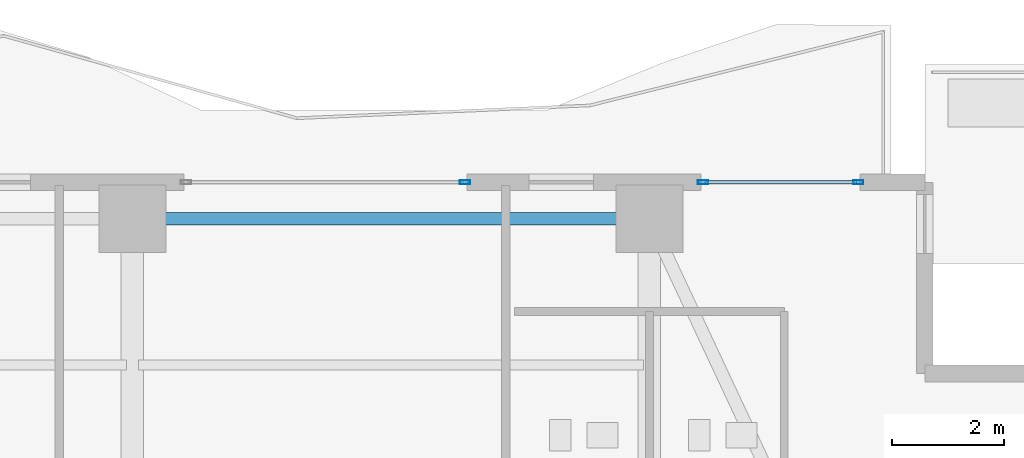
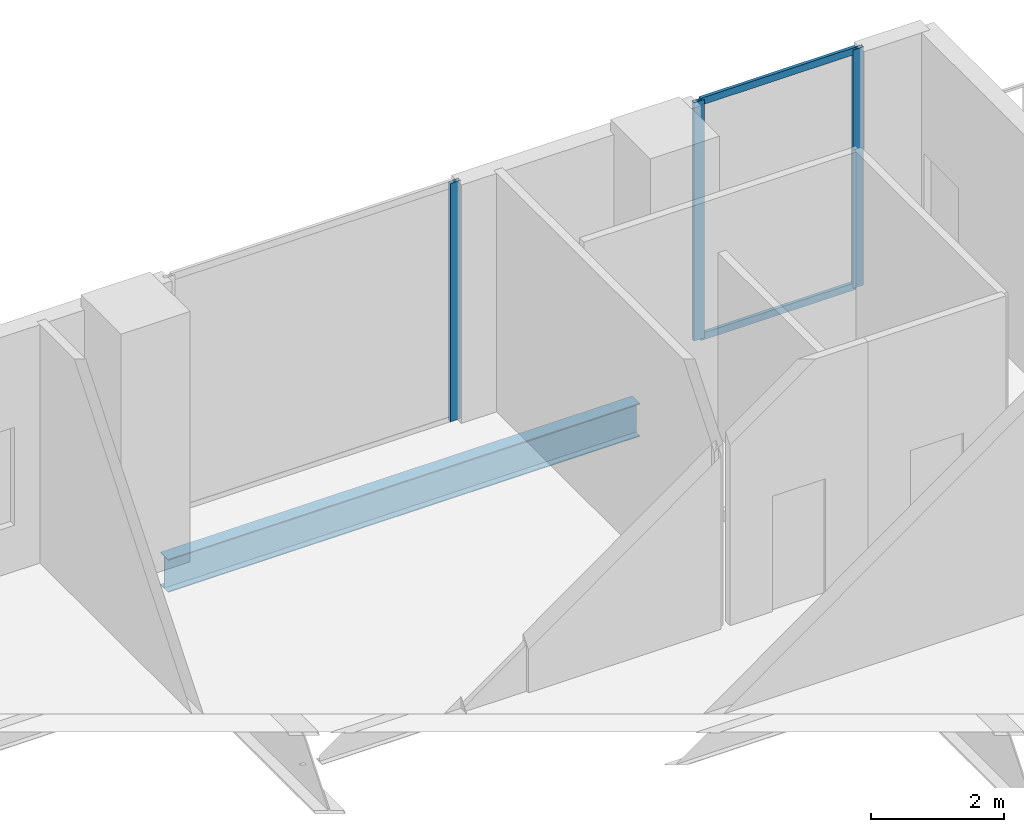
# One storey, part 22 of 31: 5 members, 1 beam, 2 elements without a shape of their own.
"""IFC4 building model written with IfcOpenShell, lengths in metres."""

import ifcopenshell
import ifcopenshell.guid

model = None  # the IFC model being written
_history = None  # IfcOwnerHistory: only IFC2X3 demands one
_inside = {}  # id of a spatial element -> (the spatial element, [elements in it])
_under = {}  # id of a project, library or spatial element -> (it, [spatial elements below it])
_declared = {}  # id of a project -> (the project, [libraries it declares])
_typed = {}  # id of a type object -> (the type object, [elements of that type])
_made_of = {}  # id of a material, layer set ... -> (it, [elements and type objects made of it])


def new_model(schema):
    """Start an empty IFC model of exactly this schema.

    Asked for "IFC4X3", IfcOpenShell would pick the latest addendum, in which some entities
    have other attributes; the version numbers below select the first issue.
    IFC2X3 requires an IfcOwnerHistory on every rooted entity: one is made here for all.
    """
    global model, _history
    if schema == "IFC4X3":
        model = ifcopenshell.file(schema_version=(4, 3, 0, 0))
    else:
        model = ifcopenshell.file(schema=schema)
    _inside.clear()
    _under.clear()
    _declared.clear()
    _typed.clear()
    _made_of.clear()
    _history = None
    if model.schema == "IFC2X3":
        org = make("IfcOrganization", Name="unknown")
        user = make(
            "IfcPersonAndOrganization",
            ThePerson=make("IfcPerson", FamilyName="unknown"),
            TheOrganization=org,
        )
        app = make(
            "IfcApplication",
            ApplicationDeveloper=org,
            Version="unknown",
            ApplicationFullName="unknown",
            ApplicationIdentifier="unknown",
        )
        _history = make(
            "IfcOwnerHistory",
            OwningUser=user,
            OwningApplication=app,
            ChangeAction="ADDED",
            CreationDate=0,
        )
    return model


def make(cls, **values):
    """One entity of the class cls with the attributes given. An attribute that is None is left unset."""
    return model.create_entity(
        cls, **{name: value for name, value in values.items() if value is not None}
    )


def rooted(cls, **values):
    """An entity with a GlobalId (a new one), such as an element, a storey or a relation."""
    return make(cls, GlobalId=ifcopenshell.guid.new(), OwnerHistory=_history, **values)


def si_unit(unit_type, name, prefix=None):
    """IfcSIUnit, for example si_unit("LENGTHUNIT", "METRE", prefix="MILLI")."""
    return make("IfcSIUnit", UnitType=unit_type, Prefix=prefix, Name=name)


def assignment(units):
    """IfcUnitAssignment: the units of a project."""
    return None if units is None else make("IfcUnitAssignment", Units=units)


def point(xyz):
    """IfcCartesianPoint."""
    return None if xyz is None else make("IfcCartesianPoint", Coordinates=xyz)


def direction(xyz):
    """IfcDirection."""
    return None if xyz is None else make("IfcDirection", DirectionRatios=xyz)


def frame(location, z_axis=None, x_axis=None):
    """IfcAxis2Placement3D, a coordinate frame: its origin and axes. An axis left out is left unset."""
    return make(
        "IfcAxis2Placement3D",
        Location=point(location),
        Axis=direction(z_axis),
        RefDirection=direction(x_axis),
    )


def frame_2d(location, x_axis=None):
    """IfcAxis2Placement2D, a coordinate frame in the plane: its origin and x axis."""
    return make(
        "IfcAxis2Placement2D", Location=point(location), RefDirection=direction(x_axis)
    )


def origin():
    """The frame at (0, 0, 0) with its axes left unset."""
    return frame((0.0, 0.0, 0.0))


def origin_2d():
    """The frame at (0, 0) in the plane with its x axis left unset."""
    return frame_2d((0.0, 0.0))


def place(relative_to, where):
    """IfcLocalPlacement: puts the frame where relative to a parent placement (None: the world)."""
    return make(
        "IfcLocalPlacement", PlacementRelTo=relative_to, RelativePlacement=where
    )


def context(
    kind, dimensions, precision=None, world=None, true_north=None, identifier=None
):
    """IfcGeometricRepresentationContext, for example the 3D "Model" context."""
    return make(
        "IfcGeometricRepresentationContext",
        ContextIdentifier=identifier,
        ContextType=kind,
        CoordinateSpaceDimension=dimensions,
        Precision=precision,
        WorldCoordinateSystem=world,
        TrueNorth=true_north,
    )


def subcontext(parent, identifier, kind, view, scale=None):
    """IfcGeometricRepresentationSubContext, for example "Body" below "Model"."""
    return make(
        "IfcGeometricRepresentationSubContext",
        ContextIdentifier=identifier,
        ContextType=kind,
        ParentContext=parent,
        TargetScale=scale,
        TargetView=view,
    )


def project(units=None, contexts=None):
    """IfcProject with its units and contexts."""
    return rooted(
        "IfcProject",
        Name="project",
        RepresentationContexts=contexts,
        UnitsInContext=assignment(units),
    )


def spatial(cls, under=None, at=None, **own):
    """A site, building, storey or space (cls), placed at a placement, below another one or the project."""
    s = rooted(cls, ObjectPlacement=at, **own)
    if under is not None:
        _under.setdefault(under.id(), (under, []))[1].append(s)
    return s


def profile(cls, at=None, kind="AREA", **sizes):
    """A parametric profile (cls). Its sizes go by their IFC names, for example OverallWidth=200.0."""
    return make(cls, ProfileType=kind, Position=at, **sizes)


def hollow_rectangle(**sizes):
    """IfcRectangleHollowProfileDef."""
    return profile("IfcRectangleHollowProfileDef", **sizes)


def i_section(**sizes):
    """IfcIShapeProfileDef."""
    return profile("IfcIShapeProfileDef", **sizes)


def extrude(swept, where, along, depth):
    """IfcExtrudedAreaSolid: the profile swept, set in the frame where, extruded along a direction by depth."""
    return make(
        "IfcExtrudedAreaSolid",
        SweptArea=swept,
        Position=where,
        ExtrudedDirection=direction(along),
        Depth=depth,
    )


def shape(context_of_items, identifier, shape_type, items):
    """IfcShapeRepresentation: the items that make up one representation, for example the "Body"."""
    return make(
        "IfcShapeRepresentation",
        ContextOfItems=context_of_items,
        RepresentationIdentifier=identifier,
        RepresentationType=shape_type,
        Items=items,
    )


def material(Name=None, Category=None):
    """IfcMaterial."""
    return make("IfcMaterial", Name=Name, Category=Category)


def layer(
    of_material, thickness, ventilated=None, Name=None, Category=None, Priority=None
):
    """IfcMaterialLayer: one layer of a wall or slab, of a material (None: an air gap)."""
    return make(
        "IfcMaterialLayer",
        Material=of_material,
        LayerThickness=thickness,
        IsVentilated=ventilated,
        Name=Name,
        Category=Category,
        Priority=Priority,
    )


def layer_set(layers, Name=None):
    """IfcMaterialLayerSet."""
    return make("IfcMaterialLayerSet", MaterialLayers=layers, LayerSetName=Name)


def material_profile(
    of_material, cross_section, Name=None, Category=None, Priority=None
):
    """IfcMaterialProfile: a cross section and its material."""
    return make(
        "IfcMaterialProfile",
        Name=Name,
        Material=of_material,
        Profile=cross_section,
        Priority=Priority,
        Category=Category,
    )


def profile_set(profiles, Name=None, composite=None):
    """IfcMaterialProfileSet."""
    return make(
        "IfcMaterialProfileSet",
        Name=Name,
        MaterialProfiles=profiles,
        CompositeProfile=composite,
    )


def made_of(thing, what):
    """Note that an element or type object is made of a material, layer set ...; save() writes the relation."""
    if what is not None:
        _made_of.setdefault(what.id(), (what, []))[1].append(thing)
    return thing


def type_object(cls, material=None, **own):
    """A type object (cls), such as IfcWallType, which elements share."""
    return made_of(rooted(cls, **own), material)


def element(
    cls,
    number,
    at=None,
    inside=None,
    cuts=None,
    type_object=None,
    material=None,
    context=None,
    identifier="Body",
    shape_type=None,
    held_by="IfcProductDefinitionShape",
    body=None,
    shapes=None,
    **own,
):
    """One element of the class cls, such as IfcWall. Its Tag is "e" and its number.

    at: its placement. inside: the storey or other place that contains it. cuts: it is an
    opening in that element (IfcRelVoidsElement). A single representation is given by context,
    identifier, shape_type and body (its items); several are given by shapes. held_by: the class
    of the entity that holds the representations. save() writes the other relations.
    """
    e = rooted(cls, Tag="e%d" % number, ObjectPlacement=at, **own)
    if body is not None:
        shapes = [shape(context, identifier, shape_type, body)]
    if shapes is not None:
        e.Representation = make(held_by, Representations=shapes)
    if inside is not None:
        _inside.setdefault(inside.id(), (inside, []))[1].append(e)
    if cuts is not None:
        rooted(
            "IfcRelVoidsElement", RelatingBuildingElement=cuts, RelatedOpeningElement=e
        )
    if type_object is not None:
        _typed.setdefault(type_object.id(), (type_object, []))[1].append(e)
    return made_of(e, material)


def aggregate(whole, parts):
    """IfcRelAggregates: a whole, such as a stair, and the parts it consists of."""
    return rooted("IfcRelAggregates", RelatingObject=whole, RelatedObjects=parts)


def save(model, path):
    """Write the relations noted so far, then the file.

    IfcRelAggregates (storeys below a building ...), IfcRelContainedInSpatialStructure (elements
    in a storey), IfcRelDefinesByType, IfcRelAssociatesMaterial and IfcRelDeclares: one each for
    every whole, place, type object, material and project.
    """
    for whole, parts in _under.values():
        aggregate(whole, parts)
    for where, things in _inside.values():
        rooted(
            "IfcRelContainedInSpatialStructure",
            RelatedElements=things,
            RelatingStructure=where,
        )
    for kind, things in _typed.values():
        rooted("IfcRelDefinesByType", RelatedObjects=things, RelatingType=kind)
    for what, things in _made_of.values():
        rooted("IfcRelAssociatesMaterial", RelatedObjects=things, RelatingMaterial=what)
    for by, libraries in _declared.values():
        rooted("IfcRelDeclares", RelatingContext=by, RelatedDefinitions=libraries)
    model.write(path)


model = new_model("IFC4")

# Units and contexts
model_context = context("Model", 3, precision=1e-05, world=origin(), true_north=direction((0.0, 1.0)))
body_context = subcontext(model_context, "Body", "Model", "MODEL_VIEW")
ifc_project = project(units=[si_unit("LENGTHUNIT", "METRE"), si_unit("AREAUNIT", "SQUARE_METRE"), si_unit("VOLUMEUNIT", "CUBIC_METRE"), si_unit("PLANEANGLEUNIT", "RADIAN"), si_unit("MASSUNIT", "GRAM", prefix="KILO")], contexts=[model_context])

# Site, building, storey
site_placement = place(None, origin())
site = spatial("IfcSite", under=ifc_project, at=site_placement, CompositionType="ELEMENT")
building_placement = place(site_placement, origin())
building = spatial("IfcBuilding", under=site, at=building_placement, Name="Zuhayl Quay Hotel", CompositionType="ELEMENT")
storey_placement = place(building_placement, frame((0.0, 0.0, 172.800048828125)))
storey = spatial("IfcBuildingStorey", under=building, at=storey_placement, Name="L43", CompositionType="ELEMENT", Elevation=172.800048828125)

# Beam
ifc_material_1 = material(Name="Steel ASTM A992 Grade 50", Category="steel")
ifc_material_profile_1 = material_profile(ifc_material_1, i_section(OverallWidth=0.22802734375, OverallDepth=0.60693359375, WebThickness=0.01123046875, FlangeThickness=0.017333984375, at=origin_2d()), Name="W24X76")
ifc_profile_set_1 = profile_set([ifc_material_profile_1], Name="Steel ASTM A992 Grade 50")
beam_type = type_object("IfcBeamType", Name="BM_B3_W24X76", PredefinedType="BEAM", material=ifc_profile_set_1)
beam_placement = place(storey_placement, frame((13.300048828125, 32.949951171875, -0.5234375), z_axis=(-1.0, 0.0, 0.0), x_axis=(0.0, -1.0, 0.0)))
element("IfcBeam", 1, at=beam_placement, inside=storey, type_object=beam_type, Name="L43 Floor Beam RG_L43_07", PredefinedType="BEAM", context=body_context, shape_type="SweptSolid", body=[
    extrude(i_section(OverallWidth=0.22802734375, OverallDepth=0.60693359375, WebThickness=0.01123046875, FlangeThickness=0.017333984375, at=origin_2d()), origin(), (0.0, 0.0, 1.0), 8.199951171875),
])

# Curtain wall, member
ifc_material_2 = material(Name="Anodised Aluminium 6063-T6", Category="aluminium")
ifc_layer = layer(ifc_material_2, 0.175048828125, Name="Anodised Aluminium 6063-T6", Category="aluminium")
ifc_layer_set = layer_set([ifc_layer], Name="Anodised Aluminium 6063-T6")
curtain_wall_type = type_object("IfcCurtainWallType", Name="CW_SYS_Z3", PredefinedType="USERDEFINED", material=ifc_layer_set)
curtain_wall_1_placement = place(storey_placement, origin())
curtain_wall_1 = element("IfcCurtainWall", 2, at=curtain_wall_1_placement, inside=storey, type_object=curtain_wall_type, Name="L43 Curtain Wall ENV_L43_N_CW3", ObjectType="UNITISED CURTAIN WALL", PredefinedType="USERDEFINED")
ifc_material_3 = material(Name="Black-anodised aluminium 6063-T6", Category="aluminium")
ifc_material_profile_2 = material_profile(ifc_material_3, hollow_rectangle(XDim=0.06494140625, YDim=0.179931640625, WallThickness=0.00341796875, at=origin_2d()), Name="ALU180X65")
ifc_profile_set_2 = profile_set([ifc_material_profile_2], Name="Black-anodised aluminium 6063-T6")
member_type_1 = type_object("IfcMemberType", Name="MB_CW_MUL_180", PredefinedType="MULLION", material=ifc_profile_set_2)
member_1_placement = place(storey_placement, frame((10.517578125, 33.60009765625, 0.0), z_axis=(0.0, 0.0, 1.0), x_axis=(0.0, 1.0, 0.0)))
member_1 = element("IfcMember", 3, at=member_1_placement, type_object=member_type_1, Name="CW-Z3 mullion 2", PredefinedType="MULLION", context=body_context, shape_type="SweptSolid", body=[
    extrude(hollow_rectangle(XDim=0.06494140625, YDim=0.179931640625, WallThickness=0.00341796875, at=origin_2d()), origin(), (0.0, 0.0, 1.0), 4.3798828125),
])
aggregate(curtain_wall_1, [member_1])

# Curtain wall, members
curtain_wall_2_placement = place(storey_placement, origin())
curtain_wall_2 = element("IfcCurtainWall", 4, at=curtain_wall_2_placement, inside=storey, type_object=curtain_wall_type, Name="L43 Curtain Wall ENV_L43_N_CW4", ObjectType="UNITISED CURTAIN WALL", PredefinedType="USERDEFINED")
member_2_placement = place(storey_placement, frame((14.75244140625, 33.60009765625, 0.0), z_axis=(0.0, 0.0, 1.0), x_axis=(0.0, 1.0, 0.0)))
member_2 = element("IfcMember", 5, at=member_2_placement, type_object=member_type_1, Name="CW-Z3 mullion 1", PredefinedType="MULLION", context=body_context, shape_type="SweptSolid", body=[
    extrude(hollow_rectangle(XDim=0.06494140625, YDim=0.179931640625, WallThickness=0.00341796875, at=origin_2d()), origin(), (0.0, 0.0, 1.0), 4.3798828125),
])
member_3_placement = place(storey_placement, frame((17.517578125, 33.60009765625, 0.0), z_axis=(0.0, 0.0, 1.0), x_axis=(0.0, 1.0, 0.0)))
member_3 = element("IfcMember", 6, at=member_3_placement, type_object=member_type_1, Name="CW-Z3 mullion 2", PredefinedType="MULLION", context=body_context, shape_type="SweptSolid", body=[
    extrude(hollow_rectangle(XDim=0.06494140625, YDim=0.179931640625, WallThickness=0.00341796875, at=origin_2d()), origin(), (0.0, 0.0, 1.0), 4.3798828125),
])
ifc_material_profile_3 = material_profile(ifc_material_3, hollow_rectangle(XDim=0.054931640625, YDim=0.1298828125, WallThickness=0.0029296875, at=origin_2d()), Name="ALU130X55")
ifc_profile_set_3 = profile_set([ifc_material_profile_3], Name="Black-anodised aluminium 6063-T6")
member_type_2 = type_object("IfcMemberType", Name="MB_CW_TRN_130", PredefinedType="USERDEFINED", material=ifc_profile_set_3)
member_4_placement = place(storey_placement, frame((14.784912109375, 33.60009765625, 0.02734375), z_axis=(1.0, 0.0, 0.0), x_axis=(0.0, 1.0, 0.0)))
member_4 = element("IfcMember", 7, at=member_4_placement, type_object=member_type_2, Name="CW-Z3 transom 1.1", ObjectType="TRANSOM", PredefinedType="USERDEFINED", context=body_context, shape_type="SweptSolid", body=[
    extrude(hollow_rectangle(XDim=0.054931640625, YDim=0.1298828125, WallThickness=0.0029296875, at=origin_2d()), origin(), (0.0, 0.0, 1.0), 2.7001953125),
])
member_5_placement = place(storey_placement, frame((14.784912109375, 33.60009765625, 4.3525390625), z_axis=(1.0, 0.0, 0.0), x_axis=(0.0, 1.0, 0.0)))
member_5 = element("IfcMember", 8, at=member_5_placement, type_object=member_type_2, Name="CW-Z3 transom 1.2", ObjectType="TRANSOM", PredefinedType="USERDEFINED", context=body_context, shape_type="SweptSolid", body=[
    extrude(hollow_rectangle(XDim=0.054931640625, YDim=0.1298828125, WallThickness=0.0029296875, at=origin_2d()), origin(), (0.0, 0.0, 1.0), 2.7001953125),
])
aggregate(curtain_wall_2, [member_2, member_3, member_4, member_5])

save(model, "model.ifc")
